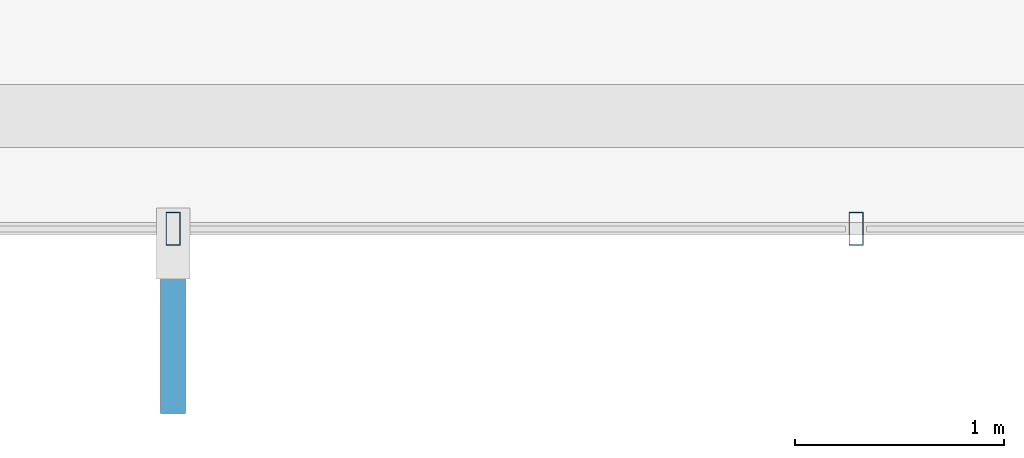
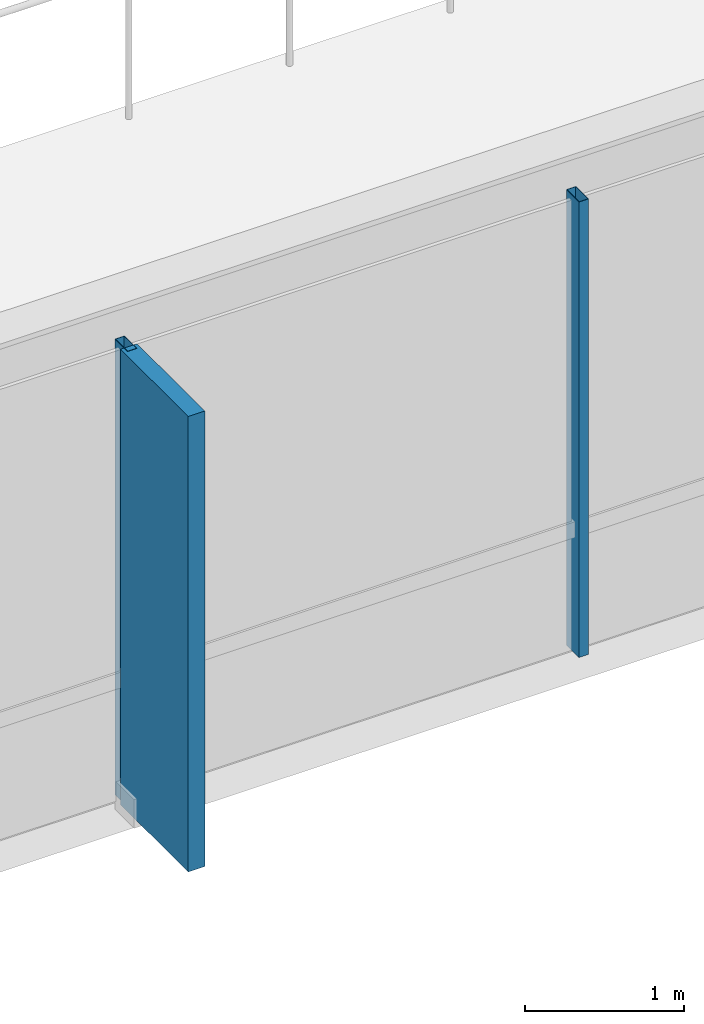
# One storey, part 6 of 28: 3 members, 1 element without a shape of its own.
"""IFC4 building model written with IfcOpenShell, lengths in metres."""

from ifc_helpers import new_model, si_unit, direction, frame, origin, origin_2d, place, context, subcontext, project, spatial, rectangle, hollow_rectangle, extrude, material, layer, layer_set, material_profile, profile_set, type_object, element, aggregate, save


model = new_model("IFC4")

# Units and contexts
model_context = context("Model", 3, precision=1e-05, world=origin(), true_north=direction((0.0, 1.0)))
body_context = subcontext(model_context, "Body", "Model", "MODEL_VIEW")
ifc_project = project(units=[si_unit("LENGTHUNIT", "METRE"), si_unit("AREAUNIT", "SQUARE_METRE"), si_unit("VOLUMEUNIT", "CUBIC_METRE"), si_unit("PLANEANGLEUNIT", "RADIAN"), si_unit("MASSUNIT", "GRAM", prefix="KILO")], contexts=[model_context])

# Site, building, storey
site_placement = place(None, origin())
site = spatial("IfcSite", under=ifc_project, at=site_placement, CompositionType="ELEMENT")
building_placement = place(site_placement, origin())
building = spatial("IfcBuilding", under=site, at=building_placement, Name="Zarrinselat Tower", CompositionType="ELEMENT")
storey_placement = place(building_placement, frame((0.0, 0.0, 153.340087890625)))
storey = spatial("IfcBuildingStorey", under=building, at=storey_placement, Name="L37", CompositionType="ELEMENT", Elevation=153.340087890625)

# Curtain wall, members
ifc_material_1 = material(Name="Extruded Aluminium Alloy EN AW-6063 T6", Category="aluminium")
ifc_layer = layer(ifc_material_1, 0.175048828125)
ifc_layer_set = layer_set([ifc_layer], Name="Extruded Aluminium Alloy EN AW-6063 T6")
curtain_wall_type = type_object("IfcCurtainWallType", Name="CWS-HTL", PredefinedType="NOTDEFINED", material=ifc_layer_set)
curtain_wall_placement = place(storey_placement, origin())
curtain_wall = element("IfcCurtainWall", 1, at=curtain_wall_placement, inside=storey, type_object=curtain_wall_type, Name="L37 Unitised Curtain Wall CW-L37-E04", PredefinedType="NOTDEFINED")
ifc_material_2 = material(Name="Extruded Aluminium Alloy EN AW-6063 T6", Category="aluminium")
ifc_material_profile_1 = material_profile(ifc_material_2, hollow_rectangle(XDim=0.070068359375, YDim=0.159912109375, WallThickness=0.00390625, at=origin_2d()), Name="RHS 160x70x4")
ifc_profile_set_1 = profile_set([ifc_material_profile_1], Name="Extruded Aluminium Alloy EN AW-6063 T6")
member_type_1 = type_object("IfcMemberType", Name="MEM-CW-MUL2", PredefinedType="MULLION", material=ifc_profile_set_1)
member_1_placement = place(storey_placement, frame((33.49169921875, 17.83154296875, 0.0), z_axis=(0.0, 0.0, 1.0), x_axis=(1.0, 0.0, 0.0)))
member_1 = element("IfcMember", 2, at=member_1_placement, type_object=member_type_1, Name="CW-L37-E04 Mullion 1", PredefinedType="MULLION", context=body_context, shape_type="SweptSolid", body=[
    extrude(hollow_rectangle(XDim=0.070068359375, YDim=0.159912109375, WallThickness=0.00390625, at=origin_2d()), origin(), (0.0, 0.0, 1.0), 3.489990234375),
])
member_2_placement = place(storey_placement, frame((36.763916015625, 17.83154296875, 0.0), z_axis=(0.0, 0.0, 1.0), x_axis=(1.0, 0.0, 0.0)))
member_2 = element("IfcMember", 3, at=member_2_placement, type_object=member_type_1, Name="CW-L37-E04 Mullion 2", PredefinedType="MULLION", context=body_context, shape_type="SweptSolid", body=[
    extrude(hollow_rectangle(XDim=0.070068359375, YDim=0.159912109375, WallThickness=0.00390625, at=origin_2d()), origin(), (0.0, 0.0, 1.0), 3.489990234375),
])
ifc_material_3 = material(Name="Honed Cream Travertine Stone", Category="masonry")
ifc_material_profile_2 = material_profile(ifc_material_3, rectangle(XDim=0.1201171875, YDim=0.85009765625, at=origin_2d()), Name="FIN 850x120")
ifc_profile_set_2 = profile_set([ifc_material_profile_2], Name="Honed Cream Travertine Stone")
member_type_2 = type_object("IfcMemberType", Name="MEM-STONE-FIN", PredefinedType="USERDEFINED", material=ifc_profile_set_2)
member_3_placement = place(storey_placement, frame((33.49169921875, 17.37158203125, 0.0), z_axis=(0.0, 0.0, 1.0), x_axis=(-1.0, 0.0, 0.0)))
member_3 = element("IfcMember", 4, at=member_3_placement, type_object=member_type_2, Name="L37 Stone Shading Fin CW-L37-E04-01", ObjectType="FIN", PredefinedType="USERDEFINED", context=body_context, shape_type="SweptSolid", body=[
    extrude(rectangle(XDim=0.1201171875, YDim=0.85009765625, at=origin_2d()), origin(), (0.0, 0.0, 1.0), 3.489990234375),
])
aggregate(curtain_wall, [member_1, member_3, member_2])

save(model, "model.ifc")
